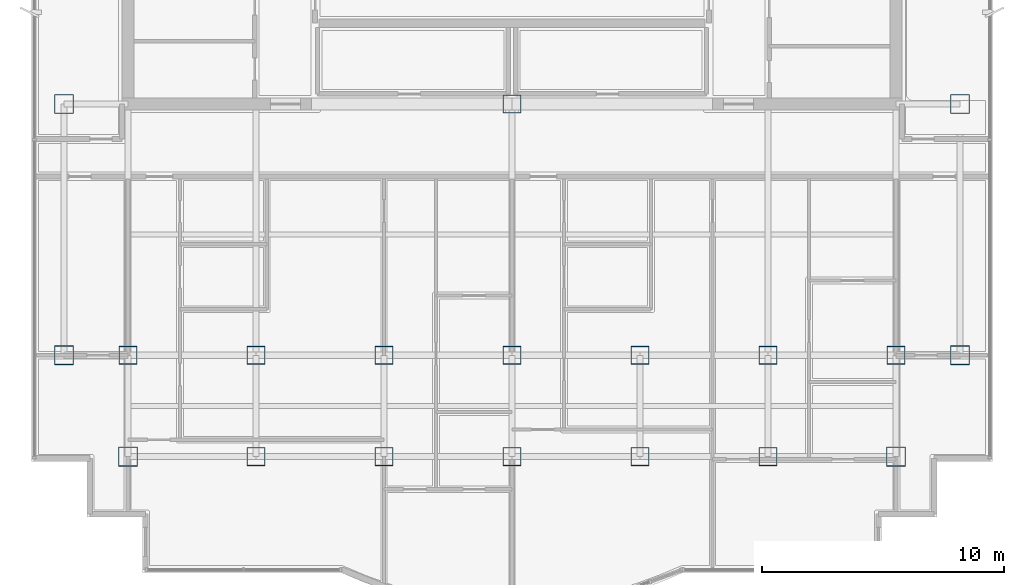
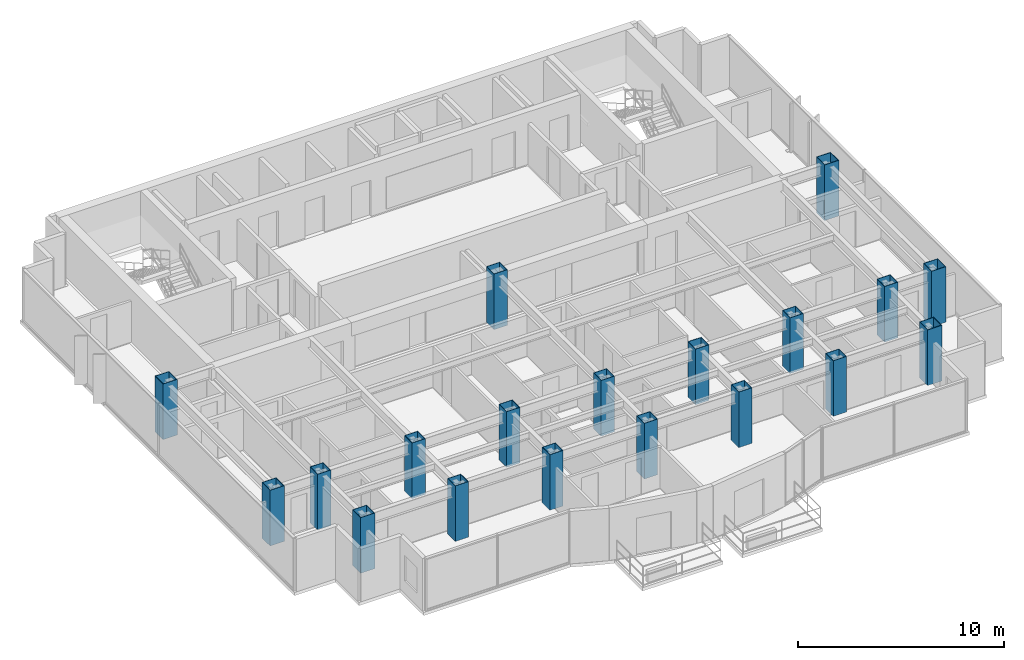
# One storey, part 1 of 12: 19 columns.
"""IFC4 building model written with IfcOpenShell, lengths in metres."""

from ifc_helpers import new_model, si_unit, direction, frame, origin, origin_2d, place, context, subcontext, project, spatial, hollow_rectangle, extrude, material, material_profile, profile_set, type_object, element, save


model = new_model("IFC4")

# Units and contexts
model_context = context("Model", 3, precision=1e-05, world=origin(), true_north=direction((0.0, 1.0)))
body_context = subcontext(model_context, "Body", "Model", "MODEL_VIEW")
ifc_project = project(units=[si_unit("LENGTHUNIT", "METRE"), si_unit("AREAUNIT", "SQUARE_METRE"), si_unit("VOLUMEUNIT", "CUBIC_METRE"), si_unit("PLANEANGLEUNIT", "RADIAN"), si_unit("MASSUNIT", "GRAM", prefix="KILO")], contexts=[model_context])

# Site, building, storey
site_placement = place(None, origin())
site = spatial("IfcSite", under=ifc_project, at=site_placement, CompositionType="ELEMENT")
building_placement = place(site_placement, origin())
building = spatial("IfcBuilding", under=site, at=building_placement, Name="Qianlan Lanfeng Residences", CompositionType="ELEMENT")
storey_placement = place(building_placement, frame((0.0, 0.0, 219.800048828125)))
storey = spatial("IfcBuildingStorey", under=building, at=storey_placement, Name="L60", CompositionType="ELEMENT", Elevation=219.800048828125)

# Columns
ifc_material = material(Name="Steel SN490B", Category="steel")
ifc_material_profile_1 = material_profile(ifc_material, hollow_rectangle(XDim=0.75, YDim=0.75, WallThickness=0.02490234375, at=origin_2d()), Name="BOX 750x750x25")
ifc_profile_set_1 = profile_set([ifc_material_profile_1], Name="Steel SN490B")
column_type_1 = type_object("IfcColumnType", Name="C-B800", PredefinedType="COLUMN", material=ifc_profile_set_1)
for number, where, z_axis, x_axis, name in (
    (1, (26.5, 25.199951171875, 0.0), (0.0, 0.0, 1.0), (1.0, 0.0, 0.0), "L60 Structural Column CP_26.5_25.2"),
    (2, (10.60009765625, 14.800048828125, 0.0), (0.0, 0.0, 1.0), (1.0, 0.0, 0.0), "L60 Structural Column M_10.60_14.80"),
    (3, (15.89990234375, 14.800048828125, 0.0), (0.0, 0.0, 1.0), (1.0, 0.0, 0.0), "L60 Structural Column M_15.90_14.80"),
    (4, (15.89990234375, 10.60009765625, 0.0), (0.0, 0.0, 1.0), (1.0, 0.0, 0.0), "L60 Structural Column G_15.90_10.60"),
    (5, (21.199951171875, 14.800048828125, 0.0), (0.0, 0.0, 1.0), (1.0, 0.0, 0.0), "L60 Structural Column M_21.20_14.80"),
    (6, (21.199951171875, 10.60009765625, 0.0), (0.0, 0.0, 1.0), (1.0, 0.0, 0.0), "L60 Structural Column G_21.20_10.60"),
    (7, (26.5, 14.800048828125, 0.0), (0.0, 0.0, 1.0), (1.0, 0.0, 0.0), "L60 Structural Column M_26.50_14.80"),
    (8, (26.5, 10.60009765625, 0.0), (0.0, 0.0, 1.0), (1.0, 0.0, 0.0), "L60 Structural Column G_26.50_10.60"),
    (9, (31.800048828125, 14.800048828125, 0.0), (0.0, 0.0, 1.0), (1.0, 0.0, 0.0), "L60 Structural Column M_31.80_14.80"),
    (10, (31.800048828125, 10.60009765625, 0.0), (0.0, 0.0, 1.0), (1.0, 0.0, 0.0), "L60 Structural Column G_31.80_10.60"),
    (11, (37.10009765625, 14.800048828125, 0.0), (0.0, 0.0, 1.0), (1.0, 0.0, 0.0), "L60 Structural Column M_37.10_14.80"),
    (12, (37.10009765625, 10.60009765625, 0.0), (0.0, 0.0, 1.0), (1.0, 0.0, 0.0), "L60 Structural Column G_37.10_10.60"),
    (13, (42.39990234375, 14.800048828125, 0.0), (0.0, 0.0, 1.0), (1.0, 0.0, 0.0), "L60 Structural Column M_42.40_14.80"),
):
    element("IfcColumn", number, at=place(storey_placement, frame(where, z_axis=z_axis, x_axis=x_axis)), inside=storey, type_object=column_type_1, Name=name, PredefinedType="COLUMN", context=body_context, shape_type="SweptSolid", body=[
        extrude(hollow_rectangle(XDim=0.75, YDim=0.75, WallThickness=0.02490234375, at=origin_2d()), origin(), (0.0, 0.0, 1.0), 3.300048828125),
    ])
ifc_material_profile_2 = material_profile(ifc_material, hollow_rectangle(XDim=0.800048828125, YDim=0.800048828125, WallThickness=0.028076171875, at=origin_2d()), Name="BOX 800x800x28")
ifc_profile_set_2 = profile_set([ifc_material_profile_2], Name="Steel SN490B")
column_type_2 = type_object("IfcColumnType", Name="CE-B800", PredefinedType="COLUMN", material=ifc_profile_set_2)
for number, where, z_axis, x_axis, name in (
    (14, (10.60009765625, 10.60009765625, 0.0), (0.0, 0.0, 1.0), (1.0, 0.0, 0.0), "L60 Structural Column G_10.60_10.60"),
    (15, (42.39990234375, 10.60009765625, 0.0), (0.0, 0.0, 1.0), (1.0, 0.0, 0.0), "L60 Structural Column G_42.40_10.60"),
    (16, (7.949951171875, 14.800048828125, 0.0), (0.0, 0.0, 1.0), (1.0, 0.0, 0.0), "L60 Structural Column W_7.95_14.80"),
    (17, (7.949951171875, 25.199951171875, 0.0), (0.0, 0.0, 1.0), (1.0, 0.0, 0.0), "L60 Structural Column W_7.95_25.20"),
    (18, (45.050048828125, 14.800048828125, 0.0), (0.0, 0.0, 1.0), (1.0, 0.0, 0.0), "L60 Structural Column W_45.05_14.80"),
    (19, (45.050048828125, 25.199951171875, 0.0), (0.0, 0.0, 1.0), (1.0, 0.0, 0.0), "L60 Structural Column W_45.05_25.20"),
):
    element("IfcColumn", number, at=place(storey_placement, frame(where, z_axis=z_axis, x_axis=x_axis)), inside=storey, type_object=column_type_2, Name=name, PredefinedType="COLUMN", context=body_context, shape_type="SweptSolid", body=[
        extrude(hollow_rectangle(XDim=0.800048828125, YDim=0.800048828125, WallThickness=0.028076171875, at=origin_2d()), origin(), (0.0, 0.0, 1.0), 3.300048828125),
    ])

save(model, "model.ifc")
